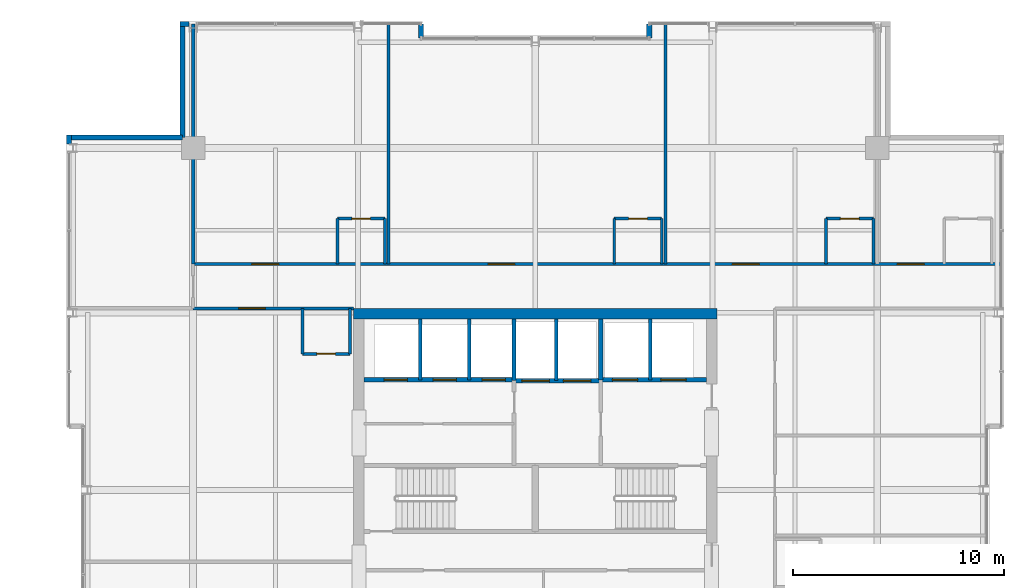
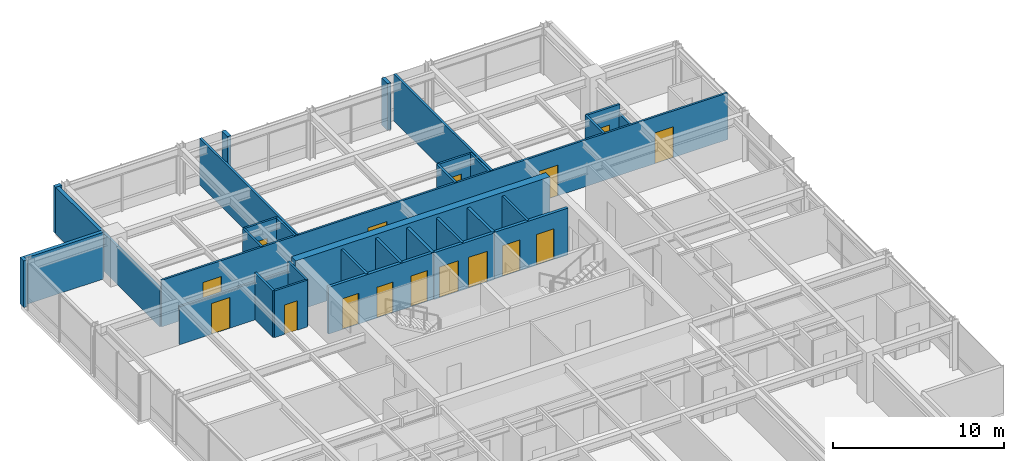
# One storey, part 28 of 31: 33 walls, 16 doors, 16 openings.
"""IFC4 building model written with IfcOpenShell, lengths in metres."""

from ifc_helpers import new_model, si_unit, direction, frame, frame_2d, origin, place, context, subcontext, project, spatial, rectangle, extrude, material, layer, layer_set, type_object, element, fill, save


model = new_model("IFC4")

# Units and contexts
model_context = context("Model", 3, precision=1e-05, world=origin(), true_north=direction((0.0, 1.0)))
body_context = subcontext(model_context, "Body", "Model", "MODEL_VIEW")
ifc_project = project(units=[si_unit("LENGTHUNIT", "METRE"), si_unit("AREAUNIT", "SQUARE_METRE"), si_unit("VOLUMEUNIT", "CUBIC_METRE"), si_unit("PLANEANGLEUNIT", "RADIAN"), si_unit("MASSUNIT", "GRAM", prefix="KILO")], contexts=[model_context])

# Site, building, storey
site_placement = place(None, origin())
site = spatial("IfcSite", under=ifc_project, at=site_placement, CompositionType="ELEMENT")
building_placement = place(site_placement, origin())
building = spatial("IfcBuilding", under=site, at=building_placement, Name="Drelvath Grand Hotel", CompositionType="ELEMENT")
storey_placement = place(building_placement, frame((0.0, 0.0, 230.300048828125)))
storey = spatial("IfcBuildingStorey", under=building, at=storey_placement, Name="L60", CompositionType="ELEMENT", Elevation=230.300048828125)

# Wall, openings, doors
ifc_material_1 = material(Name="Concrete C40/50", Category="concrete")
ifc_layer_1 = layer(ifc_material_1, 0.199951171875)
ifc_layer_set_1 = layer_set([ifc_layer_1], Name="Concrete C40/50")
wall_type_1 = type_object("IfcWallType", Name="Core Hoistway Fire Wall 200", PredefinedType="SOLIDWALL", material=ifc_layer_set_1)
wall_1_placement = place(storey_placement, frame((3.10009765625, 32.219970703125, 0.0), z_axis=(0.0, 0.0, 1.0), x_axis=(1.0, 0.0, 0.0)))
wall_1 = element("IfcWall", 1, at=wall_1_placement, inside=storey, type_object=wall_type_1, Name="L60 FSAE Hoistway Front Wall", PredefinedType="SOLIDWALL", context=body_context, shape_type="SweptSolid", body=[
    extrude(rectangle(XDim=5.0, YDim=0.199951171875, at=frame_2d((2.5, 0.0))), origin(), (0.0, 0.0, 1.0), 3.33984375),
])
opening_1_placement = place(wall_1_placement, frame((0.550048828125, 0.0, 0.0)))
opening_1 = element("IfcOpeningElement", 2, at=opening_1_placement, cuts=wall_1, Name="Opening LD-FSAE-1", PredefinedType="OPENING", context=body_context, shape_type="SweptSolid", body=[
    extrude(rectangle(XDim=1.199951171875, YDim=2.199951171875, at=frame_2d((0.60009765625, 1.10009765625))), frame((0.0, 0.10986328125, 0.0), z_axis=(0.0, -1.0, 0.0), x_axis=(1.0, 0.0, 0.0)), (0.0, 0.0, 1.0), 0.219970703125),
])
opening_2_placement = place(wall_1_placement, frame((2.85009765625, 0.0, 0.0)))
opening_2 = element("IfcOpeningElement", 3, at=opening_2_placement, cuts=wall_1, Name="Opening LD-FSAE-2", PredefinedType="OPENING", context=body_context, shape_type="SweptSolid", body=[
    extrude(rectangle(XDim=1.199951171875, YDim=2.199951171875, at=frame_2d((0.60009765625, 1.10009765625))), frame((0.0, 0.10986328125, 0.0), z_axis=(0.0, -1.0, 0.0), x_axis=(1.0, 0.0, 0.0)), (0.0, 0.0, 1.0), 0.219970703125),
])
ifc_material_2 = material(Name="Stainless Steel S355", Category="steel")
door_type_1 = type_object("IfcDoorType", Name="FSAE Lift Sliding Landing Door 1200x2200", OperationType="NOTDEFINED", PredefinedType="DOOR", material=ifc_material_2)
door_1_placement = place(opening_1_placement, origin())
door_1 = element("IfcDoor", 4, at=door_1_placement, inside=storey, type_object=door_type_1, Name="L60 Lift FSAE-1 Landing Door", OperationType="SLIDING_TO_LEFT", OverallHeight=2.199951171875, OverallWidth=1.199951171875, PredefinedType="DOOR", context=body_context, shape_type="SweptSolid", body=[
    extrude(rectangle(XDim=1.199951171875, YDim=2.199951171875, at=frame_2d((0.60009765625, 1.10009765625))), frame((0.0, 0.02490234375, 0.0), z_axis=(0.0, -1.0, 0.0), x_axis=(1.0, 0.0, 0.0)), (0.0, 0.0, 1.0), 0.050048828125),
])
fill(opening_1, door_1)
door_2_placement = place(opening_2_placement, origin())
door_2 = element("IfcDoor", 5, at=door_2_placement, inside=storey, type_object=door_type_1, Name="L60 Lift FSAE-2 Landing Door", OperationType="SLIDING_TO_LEFT", OverallHeight=2.199951171875, OverallWidth=1.199951171875, PredefinedType="DOOR", context=body_context, shape_type="SweptSolid", body=[
    extrude(rectangle(XDim=1.199951171875, YDim=2.199951171875, at=frame_2d((0.60009765625, 1.10009765625))), frame((0.0, 0.02490234375, 0.0), z_axis=(0.0, -1.0, 0.0), x_axis=(1.0, 0.0, 0.0)), (0.0, 0.0, 1.0), 0.050048828125),
])
fill(opening_2, door_2)

# Wall
wall_2_placement = place(storey_placement, frame((3.10009765625, 32.219970703125, 0.0), z_axis=(0.0, 0.0, 1.0), x_axis=(0.0, 1.0, 0.0)))
element("IfcWall", 6, at=wall_2_placement, inside=storey, type_object=wall_type_1, Name="L60 FSAE Hoistway West Wall", PredefinedType="SOLIDWALL", context=body_context, shape_type="SweptSolid", body=[
    extrude(rectangle(XDim=2.880126953125, YDim=0.199951171875, at=frame_2d((1.43994140625, 0.0))), origin(), (0.0, 0.0, 1.0), 3.33984375),
])

# Wall, openings, doors
wall_3_placement = place(storey_placement, frame((-1.0, 32.179931640625, 0.0), z_axis=(0.0, 0.0, 1.0), x_axis=(1.0, 0.0, 0.0)))
wall_3 = element("IfcWall", 7, at=wall_3_placement, inside=storey, type_object=wall_type_1, Name="L60 Service Lift Hoistway Wall", PredefinedType="SOLIDWALL", context=body_context, shape_type="SweptSolid", body=[
    extrude(rectangle(XDim=4.10009765625, YDim=0.199951171875, at=frame_2d((2.050048828125, 0.0))), origin(), (0.0, 0.0, 1.0), 3.33984375),
])
opening_3_placement = place(wall_3_placement, frame((0.3701171875, 0.0, 0.0)))
opening_3 = element("IfcOpeningElement", 8, at=opening_3_placement, cuts=wall_3, Name="Opening LD-SV-2", PredefinedType="OPENING", context=body_context, shape_type="SweptSolid", body=[
    extrude(rectangle(XDim=1.300048828125, YDim=2.199951171875, at=frame_2d((0.64990234375, 1.10009765625))), frame((0.0, 0.10986328125, 0.0), z_axis=(0.0, -1.0, 0.0), x_axis=(1.0, 0.0, 0.0)), (0.0, 0.0, 1.0), 0.219970703125),
])
opening_4_placement = place(wall_3_placement, frame((2.330078125, 0.0, 0.0)))
opening_4 = element("IfcOpeningElement", 9, at=opening_4_placement, cuts=wall_3, Name="Opening LD-SV-1", PredefinedType="OPENING", context=body_context, shape_type="SweptSolid", body=[
    extrude(rectangle(XDim=1.300048828125, YDim=2.199951171875, at=frame_2d((0.64990234375, 1.10009765625))), frame((0.0, 0.10986328125, 0.0), z_axis=(0.0, -1.0, 0.0), x_axis=(1.0, 0.0, 0.0)), (0.0, 0.0, 1.0), 0.219970703125),
])
door_type_2 = type_object("IfcDoorType", Name="Service Lift Sliding Landing Door 1300x2200", OperationType="NOTDEFINED", PredefinedType="DOOR", material=ifc_material_2)
door_3_placement = place(opening_3_placement, origin())
door_3 = element("IfcDoor", 10, at=door_3_placement, inside=storey, type_object=door_type_2, Name="L60 Lift SV-2 Landing Door", OperationType="SLIDING_TO_LEFT", OverallHeight=2.199951171875, OverallWidth=1.300048828125, PredefinedType="DOOR", context=body_context, shape_type="SweptSolid", body=[
    extrude(rectangle(XDim=1.300048828125, YDim=2.199951171875, at=frame_2d((0.64990234375, 1.10009765625))), frame((0.0, 0.02490234375, 0.0), z_axis=(0.0, -1.0, 0.0), x_axis=(1.0, 0.0, 0.0)), (0.0, 0.0, 1.0), 0.050048828125),
])
fill(opening_3, door_3)
door_4_placement = place(opening_4_placement, origin())
door_4 = element("IfcDoor", 11, at=door_4_placement, inside=storey, type_object=door_type_2, Name="L60 Lift SV-1 Landing Door", OperationType="SLIDING_TO_LEFT", OverallHeight=2.199951171875, OverallWidth=1.300048828125, PredefinedType="DOOR", context=body_context, shape_type="SweptSolid", body=[
    extrude(rectangle(XDim=1.300048828125, YDim=2.199951171875, at=frame_2d((0.64990234375, 1.10009765625))), frame((0.0, 0.02490234375, 0.0), z_axis=(0.0, -1.0, 0.0), x_axis=(1.0, 0.0, 0.0)), (0.0, 0.0, 1.0), 0.050048828125),
])
fill(opening_4, door_4)

# Wall
wall_4_placement = place(storey_placement, frame((-1.0, 32.179931640625, 0.0), z_axis=(0.0, 0.0, 1.0), x_axis=(0.0, 1.0, 0.0)))
element("IfcWall", 12, at=wall_4_placement, inside=storey, type_object=wall_type_1, Name="L60 Service Lift West Wall", PredefinedType="SOLIDWALL", context=body_context, shape_type="SweptSolid", body=[
    extrude(rectangle(XDim=2.920166015625, YDim=0.199951171875, at=frame_2d((1.4599609375, 0.0))), origin(), (0.0, 0.0, 1.0), 3.33984375),
])

# Wall, openings, doors
wall_5_placement = place(storey_placement, frame((-8.10009765625, 32.219970703125, 0.0), z_axis=(0.0, 0.0, 1.0), x_axis=(1.0, 0.0, 0.0)))
wall_5 = element("IfcWall", 13, at=wall_5_placement, inside=storey, type_object=wall_type_1, Name="L60 Bank 3 Hoistway Wall", PredefinedType="SOLIDWALL", context=body_context, shape_type="SweptSolid", body=[
    extrude(rectangle(XDim=7.10009765625, YDim=0.199951171875, at=frame_2d((3.550048828125, 0.0))), origin(), (0.0, 0.0, 1.0), 3.33984375),
])
opening_5_placement = place(wall_5_placement, frame((0.949951171875, 0.0, 0.0)))
opening_5 = element("IfcOpeningElement", 14, at=opening_5_placement, cuts=wall_5, Name="Opening LD-PE-7", PredefinedType="OPENING", context=body_context, shape_type="SweptSolid", body=[
    extrude(rectangle(XDim=1.10009765625, YDim=2.199951171875, at=frame_2d((0.550048828125, 1.10009765625))), frame((0.0, 0.10986328125, 0.0), z_axis=(0.0, -1.0, 0.0), x_axis=(1.0, 0.0, 0.0)), (0.0, 0.0, 1.0), 0.219970703125),
])
opening_6_placement = place(wall_5_placement, frame((3.27001953125, 0.0, 0.0)))
opening_6 = element("IfcOpeningElement", 15, at=opening_6_placement, cuts=wall_5, Name="Opening LD-PE-8", PredefinedType="OPENING", context=body_context, shape_type="SweptSolid", body=[
    extrude(rectangle(XDim=1.10009765625, YDim=2.199951171875, at=frame_2d((0.550048828125, 1.10009765625))), frame((0.0, 0.10986328125, 0.0), z_axis=(0.0, -1.0, 0.0), x_axis=(1.0, 0.0, 0.0)), (0.0, 0.0, 1.0), 0.219970703125),
])
opening_7_placement = place(wall_5_placement, frame((5.590087890625, 0.0, 0.0)))
opening_7 = element("IfcOpeningElement", 16, at=opening_7_placement, cuts=wall_5, Name="Opening LD-PE-9", PredefinedType="OPENING", context=body_context, shape_type="SweptSolid", body=[
    extrude(rectangle(XDim=1.10009765625, YDim=2.199951171875, at=frame_2d((0.550048828125, 1.10009765625))), frame((0.0, 0.10986328125, 0.0), z_axis=(0.0, -1.0, 0.0), x_axis=(1.0, 0.0, 0.0)), (0.0, 0.0, 1.0), 0.219970703125),
])
door_type_3 = type_object("IfcDoorType", Name="Passenger Lift Sliding Landing Door 1100x2200", OperationType="NOTDEFINED", PredefinedType="DOOR", material=ifc_material_2)
door_5_placement = place(opening_5_placement, origin())
door_5 = element("IfcDoor", 17, at=door_5_placement, inside=storey, type_object=door_type_3, Name="L60 Lift PE-7 Landing Door", OperationType="SLIDING_TO_LEFT", OverallHeight=2.199951171875, OverallWidth=1.10009765625, PredefinedType="DOOR", context=body_context, shape_type="SweptSolid", body=[
    extrude(rectangle(XDim=1.10009765625, YDim=2.199951171875, at=frame_2d((0.550048828125, 1.10009765625))), frame((0.0, 0.02490234375, 0.0), z_axis=(0.0, -1.0, 0.0), x_axis=(1.0, 0.0, 0.0)), (0.0, 0.0, 1.0), 0.050048828125),
])
fill(opening_5, door_5)
door_6_placement = place(opening_6_placement, origin())
door_6 = element("IfcDoor", 18, at=door_6_placement, inside=storey, type_object=door_type_3, Name="L60 Lift PE-8 Landing Door", OperationType="SLIDING_TO_LEFT", OverallHeight=2.199951171875, OverallWidth=1.10009765625, PredefinedType="DOOR", context=body_context, shape_type="SweptSolid", body=[
    extrude(rectangle(XDim=1.10009765625, YDim=2.199951171875, at=frame_2d((0.550048828125, 1.10009765625))), frame((0.0, 0.02490234375, 0.0), z_axis=(0.0, -1.0, 0.0), x_axis=(1.0, 0.0, 0.0)), (0.0, 0.0, 1.0), 0.050048828125),
])
fill(opening_6, door_6)
door_7_placement = place(opening_7_placement, origin())
door_7 = element("IfcDoor", 19, at=door_7_placement, inside=storey, type_object=door_type_3, Name="L60 Lift PE-9 Landing Door", OperationType="SLIDING_TO_LEFT", OverallHeight=2.199951171875, OverallWidth=1.10009765625, PredefinedType="DOOR", context=body_context, shape_type="SweptSolid", body=[
    extrude(rectangle(XDim=1.10009765625, YDim=2.199951171875, at=frame_2d((0.550048828125, 1.10009765625))), frame((0.0, 0.02490234375, 0.0), z_axis=(0.0, -1.0, 0.0), x_axis=(1.0, 0.0, 0.0)), (0.0, 0.0, 1.0), 0.050048828125),
])
fill(opening_7, door_7)

# Walls
ifc_material_3 = material(Name="Gypsum Fireboard Partition")
ifc_layer_2 = layer(ifc_material_3, 0.1650390625)
ifc_layer_set_2 = layer_set([ifc_layer_2], Name="Gypsum Fireboard Partition")
wall_type_2 = type_object("IfcWallType", Name="Core Shaft Partition 165", PredefinedType="PARTITIONING", material=ifc_layer_set_2)
wall_6_placement = place(storey_placement, frame((5.449951171875, 32.219970703125, 0.0), z_axis=(0.0, 0.0, 1.0), x_axis=(0.0, 1.0, 0.0)))
element("IfcWall", 20, at=wall_6_placement, inside=storey, type_object=wall_type_2, Name="L60 FSAE Hoistway Divider", PredefinedType="PARTITIONING", context=body_context, shape_type="SweptSolid", body=[
    extrude(rectangle(XDim=2.880126953125, YDim=0.1650390625, at=frame_2d((1.43994140625, 0.0))), origin(), (0.0, 0.0, 1.0), 3.33984375),
])
wall_7_placement = place(storey_placement, frame((1.0, 32.179931640625, 0.0), z_axis=(0.0, 0.0, 1.0), x_axis=(0.0, 1.0, 0.0)))
element("IfcWall", 21, at=wall_7_placement, inside=storey, type_object=wall_type_2, Name="L60 Service Lift Divider", PredefinedType="PARTITIONING", context=body_context, shape_type="SweptSolid", body=[
    extrude(rectangle(XDim=2.920166015625, YDim=0.1650390625, at=frame_2d((1.4599609375, 0.0))), origin(), (0.0, 0.0, 1.0), 3.33984375),
])
for number, where, z_axis, x_axis, name in (
    (22, (-5.43994140625, 32.219970703125, 0.0), (0.0, 0.0, 1.0), (0.0, 1.0, 0.0), "L60 Lift PE-7/8 Divider"),
    (23, (-3.1201171875, 32.219970703125, 0.0), (0.0, 0.0, 1.0), (0.0, 1.0, 0.0), "L60 Lift PE-8/9 Divider"),
):
    element("IfcWall", number, at=place(storey_placement, frame(where, z_axis=z_axis, x_axis=x_axis)), inside=storey, type_object=wall_type_2, Name=name, PredefinedType="PARTITIONING", context=body_context, shape_type="SweptSolid", body=[
        extrude(rectangle(XDim=2.880126953125, YDim=0.1650390625, at=frame_2d((1.43994140625, 0.0))), origin(), (0.0, 0.0, 1.0), 3.33984375),
    ])

# Wall, openings, doors
ifc_layer_3 = layer(ifc_material_3, 0.135009765625)
ifc_layer_set_3 = layer_set([ifc_layer_3], Name="Gypsum Fireboard Partition")
wall_type_3 = type_object("IfcWallType", Name="Corridor Fire Barrier Wall 135", PredefinedType="PARTITIONING", material=ifc_layer_set_3)
wall_8_placement = place(storey_placement, frame((-16.199951171875, 37.699951171875, 0.0), z_axis=(0.0, 0.0, 1.0), x_axis=(1.0, 0.0, 0.0)))
wall_8 = element("IfcWall", 24, at=wall_8_placement, inside=storey, type_object=wall_type_3, Name="L60 North Cross-Gallery Wall", PredefinedType="PARTITIONING", context=body_context, shape_type="SweptSolid", body=[
    extrude(rectangle(XDim=38.280029296875, YDim=0.135009765625, at=frame_2d((19.14013671875, 0.0))), origin(), (0.0, 0.0, 1.0), 3.33984375),
])
opening_8_placement = place(wall_8_placement, frame((33.35498046875, 0.0, 0.0)))
opening_8 = element("IfcOpeningElement", 25, at=opening_8_placement, cuts=wall_8, Name="Opening D-T4G3-022", PredefinedType="OPENING", context=body_context, shape_type="SweptSolid", body=[
    extrude(rectangle(XDim=1.260009765625, YDim=2.199951171875, at=frame_2d((0.6298828125, 1.10009765625))), frame((0.0, 0.077392578125, 0.0), z_axis=(0.0, -1.0, 0.0), x_axis=(1.0, 0.0, 0.0)), (0.0, 0.0, 1.0), 0.155029296875),
])
opening_9_placement = place(wall_8_placement, frame((2.78369140625, 0.0, 0.0)))
opening_9 = element("IfcOpeningElement", 26, at=opening_9_placement, cuts=wall_8, Name="Opening D-T4G3-033", PredefinedType="OPENING", context=body_context, shape_type="SweptSolid", body=[
    extrude(rectangle(XDim=1.260009765625, YDim=2.199951171875, at=frame_2d((0.6298828125, 1.10009765625))), frame((0.0, 0.077392578125, 0.0), z_axis=(0.0, -1.0, 0.0), x_axis=(1.0, 0.0, 0.0)), (0.0, 0.0, 1.0), 0.155029296875),
])
opening_10_placement = place(wall_8_placement, frame((13.96923828125, 0.0, 0.0)))
opening_10 = element("IfcOpeningElement", 27, at=opening_10_placement, cuts=wall_8, Name="Opening D-T4G3-035", PredefinedType="OPENING", context=body_context, shape_type="SweptSolid", body=[
    extrude(rectangle(XDim=1.260009765625, YDim=2.199951171875, at=frame_2d((0.6298828125, 1.10009765625))), frame((0.0, 0.077392578125, 0.0), z_axis=(0.0, -1.0, 0.0), x_axis=(1.0, 0.0, 0.0)), (0.0, 0.0, 1.0), 0.155029296875),
])
opening_11_placement = place(wall_8_placement, frame((25.540771484375, 0.0, 0.0)))
opening_11 = element("IfcOpeningElement", 28, at=opening_11_placement, cuts=wall_8, Name="Opening D-T4G3-037", PredefinedType="OPENING", context=body_context, shape_type="SweptSolid", body=[
    extrude(rectangle(XDim=1.260009765625, YDim=2.199951171875, at=frame_2d((0.6298828125, 1.10009765625))), frame((0.0, 0.077392578125, 0.0), z_axis=(0.0, -1.0, 0.0), x_axis=(1.0, 0.0, 0.0)), (0.0, 0.0, 1.0), 0.155029296875),
])
ifc_material_4 = material(Name="Hardwood Walnut Timber", Category="wood")
door_type_4 = type_object("IfcDoorType", Name="Suite Entrance Fire Door 1260x2200", OperationType="NOTDEFINED", PredefinedType="DOOR", material=ifc_material_4)
door_8_placement = place(opening_8_placement, origin())
door_8 = element("IfcDoor", 29, at=door_8_placement, inside=storey, type_object=door_type_4, Name="L60 Diplomatic Suite Entry Door", OperationType="SINGLE_SWING_LEFT", OverallHeight=2.199951171875, OverallWidth=1.260009765625, PredefinedType="DOOR", context=body_context, shape_type="SweptSolid", body=[
    extrude(rectangle(XDim=1.260009765625, YDim=2.199951171875, at=frame_2d((0.6298828125, 1.10009765625))), frame((0.0, 0.02490234375, 0.0), z_axis=(0.0, -1.0, 0.0), x_axis=(1.0, 0.0, 0.0)), (0.0, 0.0, 1.0), 0.050048828125),
])
fill(opening_8, door_8)
door_9_placement = place(opening_9_placement, origin())
door_9 = element("IfcDoor", 30, at=door_9_placement, inside=storey, type_object=door_type_4, Name="L60 Diplomatic Suite Entry Door", OperationType="SINGLE_SWING_RIGHT", OverallHeight=2.199951171875, OverallWidth=1.260009765625, PredefinedType="DOOR", context=body_context, shape_type="SweptSolid", body=[
    extrude(rectangle(XDim=1.260009765625, YDim=2.199951171875, at=frame_2d((0.6298828125, 1.10009765625))), frame((0.0, 0.02490234375, 0.0), z_axis=(0.0, -1.0, 0.0), x_axis=(1.0, 0.0, 0.0)), (0.0, 0.0, 1.0), 0.050048828125),
])
fill(opening_9, door_9)
door_10_placement = place(opening_10_placement, origin())
door_10 = element("IfcDoor", 31, at=door_10_placement, inside=storey, type_object=door_type_4, Name="L60 Diplomatic Suite Entry Door", OperationType="SINGLE_SWING_RIGHT", OverallHeight=2.199951171875, OverallWidth=1.260009765625, PredefinedType="DOOR", context=body_context, shape_type="SweptSolid", body=[
    extrude(rectangle(XDim=1.260009765625, YDim=2.199951171875, at=frame_2d((0.6298828125, 1.10009765625))), frame((0.0, 0.02490234375, 0.0), z_axis=(0.0, -1.0, 0.0), x_axis=(1.0, 0.0, 0.0)), (0.0, 0.0, 1.0), 0.050048828125),
])
fill(opening_10, door_10)
door_11_placement = place(opening_11_placement, origin())
door_11 = element("IfcDoor", 32, at=door_11_placement, inside=storey, type_object=door_type_4, Name="L60 Diplomatic Suite Entry Door", OperationType="SINGLE_SWING_RIGHT", OverallHeight=2.199951171875, OverallWidth=1.260009765625, PredefinedType="DOOR", context=body_context, shape_type="SweptSolid", body=[
    extrude(rectangle(XDim=1.260009765625, YDim=2.199951171875, at=frame_2d((0.6298828125, 1.10009765625))), frame((0.0, 0.02490234375, 0.0), z_axis=(0.0, -1.0, 0.0), x_axis=(1.0, 0.0, 0.0)), (0.0, 0.0, 1.0), 0.050048828125),
])
fill(opening_11, door_11)

# Wall, opening, door
wall_9_placement = place(storey_placement, frame((-16.199951171875, 35.60009765625, 0.0), z_axis=(0.0, 0.0, 1.0), x_axis=(1.0, 0.0, 0.0)))
wall_9 = element("IfcWall", 33, at=wall_9_placement, inside=storey, type_object=wall_type_3, Name="L60 North Gallery Inner West Wall", PredefinedType="PARTITIONING", context=body_context, shape_type="SweptSolid", body=[
    extrude(rectangle(XDim=7.599853515625, YDim=0.135009765625, at=frame_2d((3.7998046875, 0.0))), origin(), (0.0, 0.0, 1.0), 2.71728515625),
])
opening_12_placement = place(wall_9_placement, frame((2.155029296875, 0.0, 0.0)))
opening_12 = element("IfcOpeningElement", 34, at=opening_12_placement, cuts=wall_9, Name="Opening D-T4G3-045", PredefinedType="OPENING", context=body_context, shape_type="SweptSolid", body=[
    extrude(rectangle(XDim=1.260009765625, YDim=2.199951171875, at=frame_2d((0.6298828125, 1.10009765625))), frame((0.0, 0.077392578125, 0.0), z_axis=(0.0, -1.0, 0.0), x_axis=(1.0, 0.0, 0.0)), (0.0, 0.0, 1.0), 0.155029296875),
])
door_12_placement = place(opening_12_placement, origin())
door_12 = element("IfcDoor", 35, at=door_12_placement, inside=storey, type_object=door_type_4, Name="L60 Diplomatic Suite Entry Door", OperationType="SINGLE_SWING_RIGHT", OverallHeight=2.199951171875, OverallWidth=1.260009765625, PredefinedType="DOOR", context=body_context, shape_type="SweptSolid", body=[
    extrude(rectangle(XDim=1.260009765625, YDim=2.199951171875, at=frame_2d((0.6298828125, 1.10009765625))), frame((0.0, 0.02490234375, 0.0), z_axis=(0.0, -1.0, 0.0), x_axis=(1.0, 0.0, 0.0)), (0.0, 0.0, 1.0), 0.050048828125),
])
fill(opening_12, door_12)

# Walls
ifc_material_5 = material(Name="Moisture-Resistant Gypsum Board")
ifc_layer_4 = layer(ifc_material_5, 0.139892578125)
ifc_layer_set_4 = layer_set([ifc_layer_4], Name="Moisture-Resistant Gypsum Board")
wall_type_4 = type_object("IfcWallType", Name="En-Suite Plumbing Wall 140", PredefinedType="PLUMBINGWALL", material=ifc_layer_set_4)
for number, where, z_axis, x_axis, name in (
    (36, (-9.372802734375, 37.699951171875, 0.0), (0.0, 0.0, 1.0), (0.0, 1.0, 0.0), "L60 En-Suite Left Wall"),
    (37, (-7.122802734375, 37.699951171875, 0.0), (0.0, 0.0, 1.0), (0.0, 1.0, 0.0), "L60 En-Suite Right Wall"),
):
    element("IfcWall", number, at=place(storey_placement, frame(where, z_axis=z_axis, x_axis=x_axis)), inside=storey, type_object=wall_type_4, Name=name, PredefinedType="PLUMBINGWALL", context=body_context, shape_type="SweptSolid", body=[
        extrude(rectangle(XDim=2.150146484375, YDim=0.139892578125, at=frame_2d((1.0751953125, 0.0))), origin(), (0.0, 0.0, 1.0), 3.33984375),
    ])

# Wall, opening, door
wall_10_placement = place(storey_placement, frame((-9.372802734375, 39.85009765625, 0.0), z_axis=(0.0, 0.0, 1.0), x_axis=(1.0, 0.0, 0.0)))
wall_10 = element("IfcWall", 38, at=wall_10_placement, inside=storey, type_object=wall_type_4, Name="L60 En-Suite Front Wall", PredefinedType="PLUMBINGWALL", context=body_context, shape_type="SweptSolid", body=[
    extrude(rectangle(XDim=2.25, YDim=0.139892578125, at=frame_2d((1.125, 0.0))), origin(), (0.0, 0.0, 1.0), 3.33984375),
])
opening_13_placement = place(wall_10_placement, frame((0.68505859375, 0.0, 0.0)))
opening_13 = element("IfcOpeningElement", 39, at=opening_13_placement, cuts=wall_10, Name="Opening D-T4G3-032", PredefinedType="OPENING", context=body_context, shape_type="SweptSolid", body=[
    extrude(rectangle(XDim=0.8798828125, YDim=2.10009765625, at=frame_2d((0.43994140625, 1.050048828125))), frame((0.0, 0.079833984375, 0.0), z_axis=(0.0, -1.0, 0.0), x_axis=(1.0, 0.0, 0.0)), (0.0, 0.0, 1.0), 0.159912109375),
])
door_type_5 = type_object("IfcDoorType", Name="En-Suite Bathroom Door 880x2100", OperationType="NOTDEFINED", PredefinedType="DOOR", material=ifc_material_4)
door_13_placement = place(opening_13_placement, origin())
door_13 = element("IfcDoor", 40, at=door_13_placement, inside=storey, type_object=door_type_5, Name="L60 En-Suite Bathroom Door", OperationType="SINGLE_SWING_LEFT", OverallHeight=2.10009765625, OverallWidth=0.8798828125, PredefinedType="DOOR", context=body_context, shape_type="SweptSolid", body=[
    extrude(rectangle(XDim=0.8798828125, YDim=2.10009765625, at=frame_2d((0.43994140625, 1.050048828125))), frame((0.0, 0.02490234375, 0.0), z_axis=(0.0, -1.0, 0.0), x_axis=(1.0, 0.0, 0.0)), (0.0, 0.0, 1.0), 0.050048828125),
])
fill(opening_13, door_13)

# Walls
for number, where, z_axis, x_axis, name in (
    (41, (3.741455078125, 37.699951171875, 0.0), (0.0, 0.0, 1.0), (0.0, 1.0, 0.0), "L60 En-Suite Left Wall"),
    (42, (5.991455078125, 37.699951171875, 0.0), (0.0, 0.0, 1.0), (0.0, 1.0, 0.0), "L60 En-Suite Right Wall"),
):
    element("IfcWall", number, at=place(storey_placement, frame(where, z_axis=z_axis, x_axis=x_axis)), inside=storey, type_object=wall_type_4, Name=name, PredefinedType="PLUMBINGWALL", context=body_context, shape_type="SweptSolid", body=[
        extrude(rectangle(XDim=2.150146484375, YDim=0.139892578125, at=frame_2d((1.0751953125, 0.0))), origin(), (0.0, 0.0, 1.0), 3.33984375),
    ])

# Wall, opening, door
wall_11_placement = place(storey_placement, frame((3.741455078125, 39.85009765625, 0.0), z_axis=(0.0, 0.0, 1.0), x_axis=(1.0, 0.0, 0.0)))
wall_11 = element("IfcWall", 43, at=wall_11_placement, inside=storey, type_object=wall_type_4, Name="L60 En-Suite Front Wall", PredefinedType="PLUMBINGWALL", context=body_context, shape_type="SweptSolid", body=[
    extrude(rectangle(XDim=2.25, YDim=0.139892578125, at=frame_2d((1.125, 0.0))), origin(), (0.0, 0.0, 1.0), 3.33984375),
])
opening_14_placement = place(wall_11_placement, frame((0.68505859375, 0.0, 0.0)))
opening_14 = element("IfcOpeningElement", 44, at=opening_14_placement, cuts=wall_11, Name="Opening D-T4G3-034", PredefinedType="OPENING", context=body_context, shape_type="SweptSolid", body=[
    extrude(rectangle(XDim=0.8798828125, YDim=2.10009765625, at=frame_2d((0.43994140625, 1.050048828125))), frame((0.0, 0.079833984375, 0.0), z_axis=(0.0, -1.0, 0.0), x_axis=(1.0, 0.0, 0.0)), (0.0, 0.0, 1.0), 0.159912109375),
])
door_14_placement = place(opening_14_placement, origin())
door_14 = element("IfcDoor", 45, at=door_14_placement, inside=storey, type_object=door_type_5, Name="L60 En-Suite Bathroom Door", OperationType="SINGLE_SWING_LEFT", OverallHeight=2.10009765625, OverallWidth=0.8798828125, PredefinedType="DOOR", context=body_context, shape_type="SweptSolid", body=[
    extrude(rectangle(XDim=0.8798828125, YDim=2.10009765625, at=frame_2d((0.43994140625, 1.050048828125))), frame((0.0, 0.02490234375, 0.0), z_axis=(0.0, -1.0, 0.0), x_axis=(1.0, 0.0, 0.0)), (0.0, 0.0, 1.0), 0.050048828125),
])
fill(opening_14, door_14)

# Walls
wall_12_placement = place(storey_placement, frame((13.77001953125, 37.699951171875, 0.0), z_axis=(0.0, 0.0, 1.0), x_axis=(0.0, 1.0, 0.0)))
element("IfcWall", 46, at=wall_12_placement, inside=storey, type_object=wall_type_4, Name="L60 En-Suite Left Wall", PredefinedType="PLUMBINGWALL", context=body_context, shape_type="SweptSolid", body=[
    extrude(rectangle(XDim=2.150146484375, YDim=0.139892578125, at=frame_2d((1.0751953125, 0.0))), origin(), (0.0, 0.0, 1.0), 3.33984375),
])
wall_13_placement = place(storey_placement, frame((16.02001953125, 37.699951171875, 0.0), z_axis=(0.0, 0.0, 1.0), x_axis=(0.0, 1.0, 0.0)))
element("IfcWall", 47, at=wall_13_placement, inside=storey, type_object=wall_type_4, Name="L60 En-Suite Right Wall", PredefinedType="PLUMBINGWALL", context=body_context, shape_type="SweptSolid", body=[
    extrude(rectangle(XDim=2.150146484375, YDim=0.139892578125, at=frame_2d((1.0751953125, 0.0))), origin(), (0.0, 0.0, 1.0), 2.7138671875),
])

# Wall, opening, door
wall_14_placement = place(storey_placement, frame((13.77001953125, 39.85009765625, 0.0), z_axis=(0.0, 0.0, 1.0), x_axis=(1.0, 0.0, 0.0)))
wall_14 = element("IfcWall", 48, at=wall_14_placement, inside=storey, type_object=wall_type_4, Name="L60 En-Suite Front Wall", PredefinedType="PLUMBINGWALL", context=body_context, shape_type="SweptSolid", body=[
    extrude(rectangle(XDim=2.25, YDim=0.139892578125, at=frame_2d((1.125, 0.0))), origin(), (0.0, 0.0, 1.0), 3.33984375),
])
opening_15_placement = place(wall_14_placement, frame((0.68505859375, 0.0, 0.0)))
opening_15 = element("IfcOpeningElement", 49, at=opening_15_placement, cuts=wall_14, Name="Opening D-T4G3-036", PredefinedType="OPENING", context=body_context, shape_type="SweptSolid", body=[
    extrude(rectangle(XDim=0.8798828125, YDim=2.10009765625, at=frame_2d((0.43994140625, 1.050048828125))), frame((0.0, 0.079833984375, 0.0), z_axis=(0.0, -1.0, 0.0), x_axis=(1.0, 0.0, 0.0)), (0.0, 0.0, 1.0), 0.159912109375),
])
door_15_placement = place(opening_15_placement, origin())
door_15 = element("IfcDoor", 50, at=door_15_placement, inside=storey, type_object=door_type_5, Name="L60 En-Suite Bathroom Door", OperationType="SINGLE_SWING_LEFT", OverallHeight=2.10009765625, OverallWidth=0.8798828125, PredefinedType="DOOR", context=body_context, shape_type="SweptSolid", body=[
    extrude(rectangle(XDim=0.8798828125, YDim=2.10009765625, at=frame_2d((0.43994140625, 1.050048828125))), frame((0.0, 0.02490234375, 0.0), z_axis=(0.0, -1.0, 0.0), x_axis=(1.0, 0.0, 0.0)), (0.0, 0.0, 1.0), 0.050048828125),
])
fill(opening_15, door_15)

# Walls
for number, where, z_axis, x_axis, name in (
    (51, (-11.030029296875, 35.60009765625, 0.0), (0.0, 0.0, 1.0), (0.0, -1.0, 0.0), "L60 En-Suite Left Wall"),
    (52, (-8.780029296875, 35.60009765625, 0.0), (0.0, 0.0, 1.0), (0.0, -1.0, 0.0), "L60 En-Suite Right Wall"),
):
    element("IfcWall", number, at=place(storey_placement, frame(where, z_axis=z_axis, x_axis=x_axis)), inside=storey, type_object=wall_type_4, Name=name, PredefinedType="PLUMBINGWALL", context=body_context, shape_type="SweptSolid", body=[
        extrude(rectangle(XDim=2.150146484375, YDim=0.139892578125, at=frame_2d((1.0751953125, 0.0))), origin(), (0.0, 0.0, 1.0), 3.33984375),
    ])

# Wall, opening, door
wall_15_placement = place(storey_placement, frame((-11.030029296875, 33.449951171875, 0.0), z_axis=(0.0, 0.0, 1.0), x_axis=(1.0, 0.0, 0.0)))
wall_15 = element("IfcWall", 53, at=wall_15_placement, inside=storey, type_object=wall_type_4, Name="L60 En-Suite Front Wall", PredefinedType="PLUMBINGWALL", context=body_context, shape_type="SweptSolid", body=[
    extrude(rectangle(XDim=2.25, YDim=0.139892578125, at=frame_2d((1.125, 0.0))), origin(), (0.0, 0.0, 1.0), 3.33984375),
])
opening_16_placement = place(wall_15_placement, frame((0.68505859375, 0.0, 0.0)))
opening_16 = element("IfcOpeningElement", 54, at=opening_16_placement, cuts=wall_15, Name="Opening D-T4G3-044", PredefinedType="OPENING", context=body_context, shape_type="SweptSolid", body=[
    extrude(rectangle(XDim=0.8798828125, YDim=2.10009765625, at=frame_2d((0.43994140625, 1.050048828125))), frame((0.0, 0.079833984375, 0.0), z_axis=(0.0, -1.0, 0.0), x_axis=(1.0, 0.0, 0.0)), (0.0, 0.0, 1.0), 0.159912109375),
])
door_16_placement = place(opening_16_placement, origin())
door_16 = element("IfcDoor", 55, at=door_16_placement, inside=storey, type_object=door_type_5, Name="L60 En-Suite Bathroom Door", OperationType="SINGLE_SWING_LEFT", OverallHeight=2.10009765625, OverallWidth=0.8798828125, PredefinedType="DOOR", context=body_context, shape_type="SweptSolid", body=[
    extrude(rectangle(XDim=0.8798828125, YDim=2.10009765625, at=frame_2d((0.43994140625, 1.050048828125))), frame((0.0, 0.02490234375, 0.0), z_axis=(0.0, -1.0, 0.0), x_axis=(1.0, 0.0, 0.0)), (0.0, 0.0, 1.0), 0.050048828125),
])
fill(opening_16, door_16)

# Walls
ifc_material_6 = material(Name="Gypsum Acoustic Partition")
ifc_layer_5 = layer(ifc_material_6, 0.14990234375)
ifc_layer_set_5 = layer_set([ifc_layer_5], Name="Gypsum Acoustic Partition")
wall_type_5 = type_object("IfcWallType", Name="Guestroom Demising Wall 150", PredefinedType="PARTITIONING", material=ifc_layer_set_5)
for number, where, z_axis, x_axis, name in (
    (56, (-6.94287109375, 37.699951171875, 0.0), (0.0, 0.0, 1.0), (0.0, 1.0, 0.0), "L60 North Demising 1"),
    (57, (6.17138671875, 37.699951171875, 0.0), (0.0, 0.0, 1.0), (0.0, 1.0, 0.0), "L60 North Demising 2"),
):
    element("IfcWall", number, at=place(storey_placement, frame(where, z_axis=z_axis, x_axis=x_axis)), inside=storey, type_object=wall_type_5, Name=name, PredefinedType="PARTITIONING", context=body_context, shape_type="SweptSolid", body=[
        extrude(rectangle(XDim=11.380126953125, YDim=0.14990234375, at=frame_2d((5.68994140625, 0.0))), origin(), (0.0, 0.0, 1.0), 3.33984375),
    ])
ifc_layer_6 = layer(ifc_material_6, 0.1650390625)
ifc_layer_set_6 = layer_set([ifc_layer_6], Name="Gypsum Acoustic Partition")
wall_type_6 = type_object("IfcWallType", Name="Suite Demising Wall 165", PredefinedType="PARTITIONING", material=ifc_layer_set_6)
wall_16_placement = place(storey_placement, frame((-16.199951171875, 37.699951171875, 0.0), z_axis=(0.0, 0.0, 1.0), x_axis=(0.0, 1.0, 0.0)))
element("IfcWall", 58, at=wall_16_placement, inside=storey, type_object=wall_type_6, Name="L60 NW Suite Wall", PredefinedType="PARTITIONING", context=body_context, shape_type="SweptSolid", body=[
    extrude(rectangle(XDim=11.380126953125, YDim=0.1650390625, at=frame_2d((5.68994140625, 0.0))), origin(), (0.0, 0.0, 1.0), 2.7138671875),
])
ifc_material_7 = material(Name="Pale-Metal Insulated Aluminium Spandrel Assembly", Category="aluminium")
ifc_layer_7 = layer(ifc_material_7, 0.239990234375)
ifc_layer_set_7 = layer_set([ifc_layer_7], Name="Pale-Metal Insulated Aluminium Spandrel Assembly")
wall_type_7 = type_object("IfcWallType", Name="Tower Insulated Metal Spandrel Closure Wall 240", PredefinedType="STANDARD", material=ifc_layer_set_7)
for number, where, z_axis, x_axis, name in (
    (59, (-22.080078125, 43.38525390625, 0.0), (0.0, 0.0, 1.0), (0.0, 1.0, 0.0), "L60 Corner Pier Spandrel Wall WN3"),
    (60, (-16.820068359375, 49.080078125, 0.0), (0.0, 0.0, 1.0), (1.0, 0.0, 0.0), "L60 Corner Pier Spandrel Wall NW1"),
):
    element("IfcWall", number, at=place(storey_placement, frame(where, z_axis=z_axis, x_axis=x_axis)), inside=storey, type_object=wall_type_7, Name=name, PredefinedType="STANDARD", context=body_context, shape_type="SweptSolid", body=[
        extrude(rectangle(XDim=0.434814453125, YDim=0.239990234375, at=frame_2d((0.21728515625, 0.0))), origin(), (0.0, 0.0, 1.0), 3.33984375),
    ])
for number, where, z_axis, x_axis, name in (
    (61, (-21.9599609375, 43.699951171875, 0.0), (0.0, 0.0, 1.0), (1.0, 0.0, 0.0), "L60 Notched Corner Return Spandrel Wall CNW1"),
    (62, (-16.699951171875, 43.699951171875, 0.0), (0.0, 0.0, 1.0), (0.0, 1.0, 0.0), "L60 Notched Corner Return Spandrel Wall CNW2"),
):
    element("IfcWall", number, at=place(storey_placement, frame(where, z_axis=z_axis, x_axis=x_axis)), inside=storey, type_object=wall_type_7, Name=name, PredefinedType="STANDARD", context=body_context, shape_type="SweptSolid", body=[
        extrude(rectangle(XDim=5.260009765625, YDim=0.239990234375, at=frame_2d((2.6298828125, 0.0))), origin(), (0.0, 0.0, 1.0), 3.33984375),
    ])
for number, where, z_axis, x_axis, name in (
    (63, (-5.39990234375, 49.080078125, 0.0), (0.0, 0.0, 1.0), (0.0, -1.0, 0.0), "L60 Notched Corner Return Spandrel Wall RN1"),
    (64, (5.39990234375, 48.39990234375, 0.0), (0.0, 0.0, 1.0), (0.0, 1.0, 0.0), "L60 Notched Corner Return Spandrel Wall RN2"),
):
    element("IfcWall", number, at=place(storey_placement, frame(where, z_axis=z_axis, x_axis=x_axis)), inside=storey, type_object=wall_type_7, Name=name, PredefinedType="STANDARD", context=body_context, shape_type="SweptSolid", body=[
        extrude(rectangle(XDim=0.68017578125, YDim=0.239990234375, at=frame_2d((0.340087890625, 0.0))), origin(), (0.0, 0.0, 1.0), 3.33984375),
    ])
ifc_material_8 = material(Name="Concrete f'c 55 MPa", Category="concrete")
ifc_layer_8 = layer(ifc_material_8, 0.5)
ifc_layer_set_8 = layer_set([ifc_layer_8], Name="Concrete f'c 55 MPa")
wall_type_8 = type_object("IfcWallType", Name="Upper Core RC Shear Wall 500", PredefinedType="SHEAR", material=ifc_layer_set_8)
wall_17_placement = place(storey_placement, frame((-8.60009765625, 35.35009765625, 0.0), z_axis=(0.0, 0.0, 1.0), x_axis=(1.0, 0.0, 0.0)))
element("IfcWall", 65, at=wall_17_placement, inside=storey, type_object=wall_type_8, Name="L60 Central Core Shear Wall N", PredefinedType="SHEAR", context=body_context, shape_type="SweptSolid", body=[
    extrude(rectangle(XDim=17.2001953125, YDim=0.5, at=frame_2d((8.60009765625, 0.0))), origin(), (0.0, 0.0, 1.0), 3.599853515625),
])

save(model, "model.ifc")
